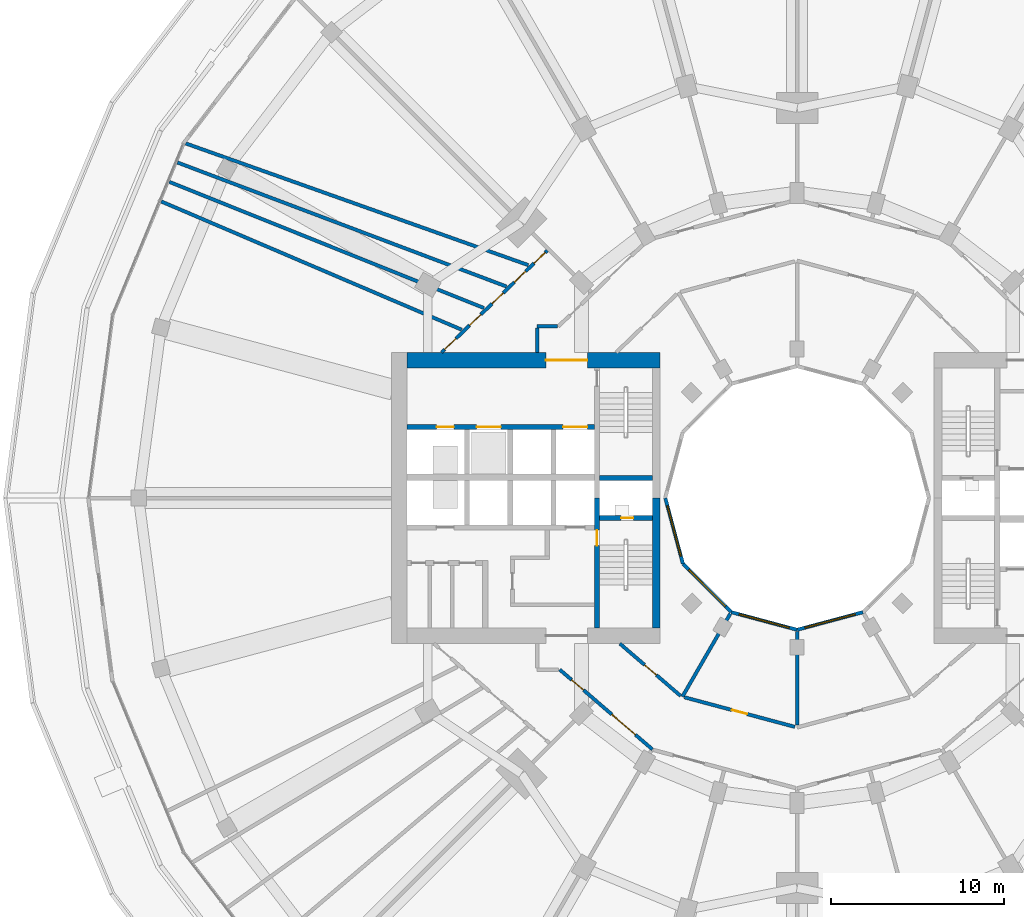
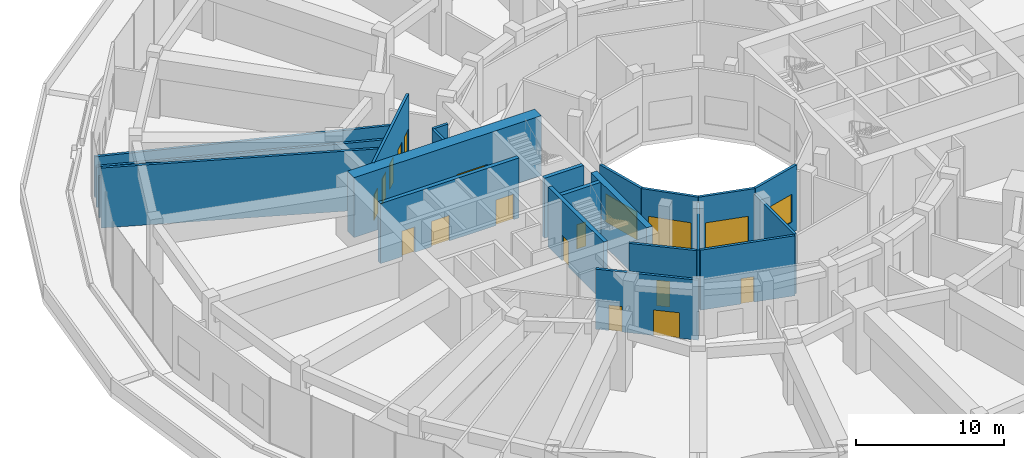
# One storey, part 23 of 30: 22 walls, 15 doors, 4 windows, 19 openings.
"""IFC4 building model written with IfcOpenShell, lengths in metres."""

from ifc_helpers import new_model, si_unit, direction, frame, frame_2d, origin, place, context, subcontext, project, spatial, rectangle, extrude, material, layer, layer_set, type_object, element, fill, save


model = new_model("IFC4")

# Units and contexts
model_context = context("Model", 3, precision=1e-05, world=origin(), true_north=direction((0.0, 1.0)))
body_context = subcontext(model_context, "Body", "Model", "MODEL_VIEW")
ifc_project = project(units=[si_unit("LENGTHUNIT", "METRE"), si_unit("AREAUNIT", "SQUARE_METRE"), si_unit("VOLUMEUNIT", "CUBIC_METRE"), si_unit("PLANEANGLEUNIT", "RADIAN"), si_unit("MASSUNIT", "GRAM", prefix="KILO")], contexts=[model_context])

# Site, building, storey
site_placement = place(None, origin())
site = spatial("IfcSite", under=ifc_project, at=site_placement, CompositionType="ELEMENT")
building_placement = place(site_placement, origin())
building = spatial("IfcBuilding", under=site, at=building_placement, Name="Torre Brocal", CompositionType="ELEMENT")
storey_placement = place(building_placement, frame((0.0, 0.0, 7.0)))
storey = spatial("IfcBuildingStorey", under=building, at=storey_placement, Name="L01", CompositionType="ELEMENT", Elevation=7.0)

# Wall, opening, door
ifc_material_1 = material(Name="Concrete C80", Category="concrete")
ifc_layer_1 = layer(ifc_material_1, 0.300048828125)
ifc_layer_set_1 = layer_set([ifc_layer_1], Name="Concrete C80")
wall_type_1 = type_object("IfcWallType", Name="CORE WALL 300 C80 UNDER 450 SLAB", PredefinedType="SHEAR", material=ifc_layer_set_1)
wall_1_placement = place(storey_placement, frame((68.449951171875, 75.0, 0.0), z_axis=(0.0, 0.0, 1.0), x_axis=(0.0, -1.0, 0.0)))
wall_1 = element("IfcWall", 1, at=wall_1_placement, inside=storey, type_object=wall_type_1, Name="Wall CW300-80-S450", PredefinedType="SHEAR", context=body_context, shape_type="SweptSolid", body=[
    extrude(rectangle(XDim=7.5, YDim=0.300048828125, at=frame_2d((3.75, 0.0))), origin(), (0.0, 0.0, 1.0), 4.949951171875),
])
opening_1_placement = place(wall_1_placement, frame((1.85009765625, 0.0, 0.0)))
opening_1 = element("IfcOpeningElement", 2, at=opening_1_placement, cuts=wall_1, Name="Opening W-D02", PredefinedType="OPENING", context=body_context, shape_type="SweptSolid", body=[
    extrude(rectangle(XDim=0.89990234375, YDim=2.10009765625, at=frame_2d((0.449951171875, 1.050048828125))), frame((0.0, 0.159912109375, 0.0), z_axis=(0.0, -1.0, 0.0), x_axis=(1.0, 0.0, 0.0)), (0.0, 0.0, 1.0), 0.320068359375),
])
ifc_material_2 = material(Name="Steel A653", Category="steel")
door_type_1 = type_object("IfcDoorType", Name="STAIR DOOR FD120 900X2100", OperationType="SINGLE_SWING_RIGHT", PredefinedType="DOOR", material=ifc_material_2)
door_1_placement = place(opening_1_placement, origin())
door_1 = element("IfcDoor", 3, at=door_1_placement, inside=storey, type_object=door_type_1, Name="Door W-D02", OperationType="SINGLE_SWING_LEFT", OverallHeight=2.10009765625, OverallWidth=0.89990234375, PredefinedType="DOOR", context=body_context, shape_type="SweptSolid", body=[
    extrude(rectangle(XDim=0.89990234375, YDim=2.10009765625, at=frame_2d((0.449951171875, 1.050048828125))), frame((0.0, 0.02490234375, 0.0), z_axis=(0.0, -1.0, 0.0), x_axis=(1.0, 0.0, 0.0)), (0.0, 0.0, 1.0), 0.050048828125),
])
fill(opening_1, door_1)

wall_2_placement = place(storey_placement, frame((71.64990234375, 73.85009765625, 0.0), z_axis=(0.0, 0.0, 1.0), x_axis=(-1.0, 0.0, 0.0)))
wall_2 = element("IfcWall", 4, at=wall_2_placement, inside=storey, type_object=wall_type_1, Name="Wall CW300-80-S450", PredefinedType="SHEAR", context=body_context, shape_type="SweptSolid", body=[
    extrude(rectangle(XDim=3.0498046875, YDim=0.300048828125, at=frame_2d((1.52490234375, 0.0))), origin(), (0.0, 0.0, 1.0), 4.949951171875),
])
opening_2_placement = place(wall_2_placement, frame((1.10009765625, 0.0, 0.0)))
opening_2 = element("IfcOpeningElement", 5, at=opening_2_placement, cuts=wall_2, Name="Opening W-D01", PredefinedType="OPENING", context=body_context, shape_type="SweptSolid", body=[
    extrude(rectangle(XDim=0.699951171875, YDim=2.0, at=frame_2d((0.35009765625, 1.0))), frame((0.0, 0.159912109375, 0.0), z_axis=(0.0, -1.0, 0.0), x_axis=(1.0, 0.0, 0.0)), (0.0, 0.0, 1.0), 0.320068359375),
])
ifc_material_3 = material(Name="Steel A653", Category="steel")
door_type_2 = type_object("IfcDoorType", Name="RISER DOOR FD120 700X2000", OperationType="SINGLE_SWING_LEFT", PredefinedType="DOOR", material=ifc_material_3)
door_2_placement = place(opening_2_placement, frame((0.699951171875, 0.0, 0.0), z_axis=(0.0, 0.0, 1.0), x_axis=(-1.0, 0.0, 0.0)))
door_2 = element("IfcDoor", 6, at=door_2_placement, inside=storey, type_object=door_type_2, Name="Door W-D01", OperationType="SINGLE_SWING_RIGHT", OverallHeight=2.0, OverallWidth=0.699951171875, PredefinedType="DOOR", context=body_context, shape_type="SweptSolid", body=[
    extrude(rectangle(XDim=0.699951171875, YDim=2.0, at=frame_2d((0.35009765625, 1.0))), frame((0.0, 0.02490234375, 0.0), z_axis=(0.0, -1.0, 0.0), x_axis=(1.0, 0.0, 0.0)), (0.0, 0.0, 1.0), 0.050048828125),
])
fill(opening_2, door_2)

# Wall
wall_3_placement = place(storey_placement, frame((71.64990234375, 76.14990234375, 0.0), z_axis=(0.0, 0.0, 1.0), x_axis=(-1.0, 0.0, 0.0)))
element("IfcWall", 7, at=wall_3_placement, inside=storey, type_object=wall_type_1, Name="Wall CW300-80-S450", PredefinedType="SHEAR", context=body_context, shape_type="SweptSolid", body=[
    extrude(rectangle(XDim=3.0498046875, YDim=0.300048828125, at=frame_2d((1.52490234375, 0.0))), origin(), (0.0, 0.0, 1.0), 4.949951171875),
])

# Wall, openings, doors
wall_4_placement = place(storey_placement, frame((68.300048828125, 79.10009765625, 0.0), z_axis=(0.0, 0.0, 1.0), x_axis=(-1.0, 0.0, 0.0)))
wall_4 = element("IfcWall", 8, at=wall_4_placement, inside=storey, type_object=wall_type_1, Name="Wall CW300-80-S450", PredefinedType="SHEAR", context=body_context, shape_type="SweptSolid", body=[
    extrude(rectangle(XDim=10.800048828125, YDim=0.300048828125, at=frame_2d((5.39990234375, 0.0))), origin(), (0.0, 0.0, 1.0), 4.949951171875),
])
opening_3_placement = place(wall_4_placement, frame((0.39990234375, 0.0, 0.0)))
opening_3 = element("IfcOpeningElement", 9, at=opening_3_placement, cuts=wall_4, Name="Opening LD14", PredefinedType="OPENING", context=body_context, shape_type="SweptSolid", body=[
    extrude(rectangle(XDim=1.39990234375, YDim=2.10009765625, at=frame_2d((0.699951171875, 1.050048828125))), frame((0.0, 0.159912109375, 0.0), z_axis=(0.0, -1.0, 0.0), x_axis=(1.0, 0.0, 0.0)), (0.0, 0.0, 1.0), 0.320068359375),
])
opening_4_placement = place(wall_4_placement, frame((5.39990234375, 0.0, 0.0)))
opening_4 = element("IfcOpeningElement", 10, at=opening_4_placement, cuts=wall_4, Name="Opening LD14", PredefinedType="OPENING", context=body_context, shape_type="SweptSolid", body=[
    extrude(rectangle(XDim=1.39990234375, YDim=2.10009765625, at=frame_2d((0.699951171875, 1.050048828125))), frame((0.0, 0.159912109375, 0.0), z_axis=(0.0, -1.0, 0.0), x_axis=(1.0, 0.0, 0.0)), (0.0, 0.0, 1.0), 0.320068359375),
])
opening_5_placement = place(wall_4_placement, frame((8.10009765625, 0.0, 0.0)))
opening_5 = element("IfcOpeningElement", 11, at=opening_5_placement, cuts=wall_4, Name="Opening LD10", PredefinedType="OPENING", context=body_context, shape_type="SweptSolid", body=[
    extrude(rectangle(XDim=1.0, YDim=2.10009765625, at=frame_2d((0.5, 1.050048828125))), frame((0.0, 0.159912109375, 0.0), z_axis=(0.0, -1.0, 0.0), x_axis=(1.0, 0.0, 0.0)), (0.0, 0.0, 1.0), 0.320068359375),
])
ifc_material_4 = material(Name="Stainless steel AISI 316", Category="steel")
door_type_3 = type_object("IfcDoorType", Name="LIFT LANDING DOOR 1000X2100", OperationType="DOUBLE_DOOR_SLIDING", PredefinedType="DOOR", material=ifc_material_4)
door_3_placement = place(opening_5_placement, origin())
door_3 = element("IfcDoor", 12, at=door_3_placement, inside=storey, type_object=door_type_3, Name="Door LD10", OperationType="DOUBLE_DOOR_SLIDING", OverallHeight=2.10009765625, OverallWidth=1.0, PredefinedType="DOOR", context=body_context, shape_type="SweptSolid", body=[
    extrude(rectangle(XDim=1.0, YDim=2.10009765625, at=frame_2d((0.5, 1.050048828125))), frame((0.0, 0.02490234375, 0.0), z_axis=(0.0, -1.0, 0.0), x_axis=(1.0, 0.0, 0.0)), (0.0, 0.0, 1.0), 0.050048828125),
])
fill(opening_5, door_3)
ifc_material_5 = material(Name="Stainless steel AISI 316", Category="steel")
door_type_4 = type_object("IfcDoorType", Name="LIFT LANDING DOOR 1400X2100", OperationType="DOUBLE_DOOR_SLIDING", PredefinedType="DOOR", material=ifc_material_5)
door_4_placement = place(opening_3_placement, origin())
door_4 = element("IfcDoor", 13, at=door_4_placement, inside=storey, type_object=door_type_4, Name="Door LD14", OperationType="DOUBLE_DOOR_SLIDING", OverallHeight=2.10009765625, OverallWidth=1.39990234375, PredefinedType="DOOR", context=body_context, shape_type="SweptSolid", body=[
    extrude(rectangle(XDim=1.39990234375, YDim=2.10009765625, at=frame_2d((0.699951171875, 1.050048828125))), frame((0.0, 0.02490234375, 0.0), z_axis=(0.0, -1.0, 0.0), x_axis=(1.0, 0.0, 0.0)), (0.0, 0.0, 1.0), 0.050048828125),
])
fill(opening_3, door_4)
door_5_placement = place(opening_4_placement, origin())
door_5 = element("IfcDoor", 14, at=door_5_placement, inside=storey, type_object=door_type_4, Name="Door LD14", OperationType="DOUBLE_DOOR_SLIDING", OverallHeight=2.10009765625, OverallWidth=1.39990234375, PredefinedType="DOOR", context=body_context, shape_type="SweptSolid", body=[
    extrude(rectangle(XDim=1.39990234375, YDim=2.10009765625, at=frame_2d((0.699951171875, 1.050048828125))), frame((0.0, 0.02490234375, 0.0), z_axis=(0.0, -1.0, 0.0), x_axis=(1.0, 0.0, 0.0)), (0.0, 0.0, 1.0), 0.050048828125),
])
fill(opening_4, door_5)

# Wall
ifc_material_6 = material(Name="Concrete C80", Category="concrete")
ifc_layer_2 = layer(ifc_material_6, 0.449951171875)
ifc_layer_set_2 = layer_set([ifc_layer_2], Name="Concrete C80")
wall_type_2 = type_object("IfcWallType", Name="CORE WALL 450 C80 UNDER 450 SLAB", PredefinedType="SHEAR", material=ifc_layer_set_2)
wall_5_placement = place(storey_placement, frame((71.875, 75.0, 0.0), z_axis=(0.0, 0.0, 1.0), x_axis=(0.0, -1.0, 0.0)))
element("IfcWall", 15, at=wall_5_placement, inside=storey, type_object=wall_type_2, Name="Wall CW450-80-S450", PredefinedType="SHEAR", context=body_context, shape_type="SweptSolid", body=[
    extrude(rectangle(XDim=7.5, YDim=0.449951171875, at=frame_2d((3.75, 0.0))), origin(), (0.0, 0.0, 1.0), 4.949951171875),
])

# Wall, opening, door
ifc_material_7 = material(Name="Concrete C80", Category="concrete")
ifc_layer_3 = layer(ifc_material_7, 0.89990234375)
ifc_layer_set_3 = layer_set([ifc_layer_3], Name="Concrete C80")
wall_type_3 = type_object("IfcWallType", Name="CORE WALL 900 C80 UNDER 450 SLAB", PredefinedType="SHEAR", material=ifc_layer_set_3)
wall_6_placement = place(storey_placement, frame((72.10009765625, 82.949951171875, 0.0), z_axis=(0.0, 0.0, 1.0), x_axis=(-1.0, 0.0, 0.0)))
wall_6 = element("IfcWall", 16, at=wall_6_placement, inside=storey, type_object=wall_type_3, Name="Wall CW900-80-S450", PredefinedType="SHEAR", context=body_context, shape_type="SweptSolid", body=[
    extrude(rectangle(XDim=14.60009765625, YDim=0.89990234375, at=frame_2d((7.300048828125, 0.0))), origin(), (0.0, 0.0, 1.0), 4.949951171875),
])
opening_6_placement = place(wall_6_placement, frame((4.199951171875, 0.0, 0.0)))
opening_6 = element("IfcOpeningElement", 17, at=opening_6_placement, cuts=wall_6, Name="Opening W-D30", PredefinedType="OPENING", context=body_context, shape_type="SweptSolid", body=[
    extrude(rectangle(XDim=2.39990234375, YDim=2.39990234375, at=frame_2d((1.199951171875, 1.199951171875))), frame((0.0, 0.4599609375, 0.0), z_axis=(0.0, -1.0, 0.0), x_axis=(1.0, 0.0, 0.0)), (0.0, 0.0, 1.0), 0.919921875),
])
ifc_material_8 = material(Name="Steel A653", Category="steel")
door_type_5 = type_object("IfcDoorType", Name="DOUBLE FIRE DOOR FD90 2400X2400", OperationType="DOUBLE_DOOR_SINGLE_SWING", PredefinedType="DOOR", material=ifc_material_8)
door_6_placement = place(opening_6_placement, origin())
door_6 = element("IfcDoor", 18, at=door_6_placement, inside=storey, type_object=door_type_5, Name="Door W-D30", OperationType="DOUBLE_DOOR_SINGLE_SWING", OverallHeight=2.39990234375, OverallWidth=2.39990234375, PredefinedType="DOOR", context=body_context, shape_type="SweptSolid", body=[
    extrude(rectangle(XDim=2.39990234375, YDim=2.39990234375, at=frame_2d((1.199951171875, 1.199951171875))), frame((0.0, 0.02490234375, 0.0), z_axis=(0.0, -1.0, 0.0), x_axis=(1.0, 0.0, 0.0)), (0.0, 0.0, 1.0), 0.050048828125),
])
fill(opening_6, door_6)

# Wall
ifc_material_9 = material(Name="Gypsum board", Category="Gypsum")
ifc_layer_4 = layer(ifc_material_9, 0.199951171875)
ifc_layer_set_4 = layer_set([ifc_layer_4], Name="Gypsum board")
wall_type_4 = type_object("IfcWallType", Name="PARTITION 200 EI60", PredefinedType="PARTITIONING", material=ifc_layer_set_4)
wall_7_placement = place(storey_placement, frame((43.30810546875, 92.113525390625, 0.0), z_axis=(0.0, 0.0, 1.0), x_axis=(0.919685506152, -0.39265579045, 0.0)))
element("IfcWall", 19, at=wall_7_placement, inside=storey, type_object=wall_type_4, Name="PARTY PARTITION", PredefinedType="PARTITIONING", context=body_context, shape_type="SweptSolid", body=[
    extrude(rectangle(XDim=18.84814453125, YDim=0.199951171875, at=frame_2d((9.424072265625, 0.0))), origin(), (0.0, 0.0, 1.0), 4.949951171875),
])

# Wall, openings, doors
wall_8_placement = place(storey_placement, frame((59.479736328125, 83.400146484375, 0.0), z_axis=(0.0, 0.0, 1.0), x_axis=(0.71978771682, 0.694194239903, 0.0)))
wall_8 = element("IfcWall", 20, at=wall_8_placement, inside=storey, type_object=wall_type_4, Name="PLANT ROOM WALL", PredefinedType="PARTITIONING", context=body_context, shape_type="SweptSolid", body=[
    extrude(rectangle(XDim=8.470703125, YDim=0.199951171875, at=frame_2d((4.2353515625, 0.0))), origin(), (0.0, 0.0, 1.0), 4.949951171875),
])
opening_7_placement = place(wall_8_placement, frame((7.4130859375, 0.0, 0.0)))
opening_7 = element("IfcOpeningElement", 21, at=opening_7_placement, cuts=wall_8, Name="Opening PD1-D08", PredefinedType="OPENING", context=body_context, shape_type="SweptSolid", body=[
    extrude(rectangle(XDim=0.89990234375, YDim=2.10009765625, at=frame_2d((0.449951171875, 1.050048828125))), frame((0.0, 0.10986328125, 0.0), z_axis=(0.0, -1.0, 0.0), x_axis=(1.0, 0.0, 0.0)), (0.0, 0.0, 1.0), 0.219970703125),
])
opening_8_placement = place(wall_8_placement, frame((5.84033203125, 0.0, 0.0)))
opening_8 = element("IfcOpeningElement", 22, at=opening_8_placement, cuts=wall_8, Name="Opening PD1-D09", PredefinedType="OPENING", context=body_context, shape_type="SweptSolid", body=[
    extrude(rectangle(XDim=0.89990234375, YDim=2.10009765625, at=frame_2d((0.449951171875, 1.050048828125))), frame((0.0, 0.10986328125, 0.0), z_axis=(0.0, -1.0, 0.0), x_axis=(1.0, 0.0, 0.0)), (0.0, 0.0, 1.0), 0.219970703125),
])
opening_9_placement = place(wall_8_placement, frame((4.054931640625, 0.0, 0.0)))
opening_9 = element("IfcOpeningElement", 23, at=opening_9_placement, cuts=wall_8, Name="Opening PD1-D10", PredefinedType="OPENING", context=body_context, shape_type="SweptSolid", body=[
    extrude(rectangle(XDim=0.89990234375, YDim=2.10009765625, at=frame_2d((0.449951171875, 1.050048828125))), frame((0.0, 0.10986328125, 0.0), z_axis=(0.0, -1.0, 0.0), x_axis=(1.0, 0.0, 0.0)), (0.0, 0.0, 1.0), 0.219970703125),
])
opening_10_placement = place(wall_8_placement, frame((2.255859375, 0.0, 0.0)))
opening_10 = element("IfcOpeningElement", 24, at=opening_10_placement, cuts=wall_8, Name="Opening PD1-D11", PredefinedType="OPENING", context=body_context, shape_type="SweptSolid", body=[
    extrude(rectangle(XDim=0.89990234375, YDim=2.10009765625, at=frame_2d((0.449951171875, 1.050048828125))), frame((0.0, 0.10986328125, 0.0), z_axis=(0.0, -1.0, 0.0), x_axis=(1.0, 0.0, 0.0)), (0.0, 0.0, 1.0), 0.219970703125),
])
opening_11_placement = place(wall_8_placement, frame((0.250732421875, 0.0, 0.0)))
opening_11 = element("IfcOpeningElement", 25, at=opening_11_placement, cuts=wall_8, Name="Opening PD1-D12", PredefinedType="OPENING", context=body_context, shape_type="SweptSolid", body=[
    extrude(rectangle(XDim=0.89990234375, YDim=2.10009765625, at=frame_2d((0.449951171875, 1.050048828125))), frame((0.0, 0.10986328125, 0.0), z_axis=(0.0, -1.0, 0.0), x_axis=(1.0, 0.0, 0.0)), (0.0, 0.0, 1.0), 0.219970703125),
])
ifc_material_10 = material(Name="Timber", Category="wood")
door_type_6 = type_object("IfcDoorType", Name="ROOM DOOR 900X2100", OperationType="SINGLE_SWING_LEFT", PredefinedType="DOOR", material=ifc_material_10)
door_7_placement = place(opening_7_placement, origin())
door_7 = element("IfcDoor", 26, at=door_7_placement, inside=storey, type_object=door_type_6, Name="PD1-D08", OperationType="SINGLE_SWING_RIGHT", OverallHeight=2.10009765625, OverallWidth=0.89990234375, PredefinedType="DOOR", context=body_context, shape_type="SweptSolid", body=[
    extrude(rectangle(XDim=0.89990234375, YDim=2.10009765625, at=frame_2d((0.449951171875, 1.050048828125))), frame((0.0, 0.02490234375, 0.0), z_axis=(0.0, -1.0, 0.0), x_axis=(1.0, 0.0, 0.0)), (0.0, 0.0, 1.0), 0.050048828125),
])
fill(opening_7, door_7)
door_8_placement = place(opening_8_placement, origin())
door_8 = element("IfcDoor", 27, at=door_8_placement, inside=storey, type_object=door_type_6, Name="PD1-D09", OperationType="SINGLE_SWING_LEFT", OverallHeight=2.10009765625, OverallWidth=0.89990234375, PredefinedType="DOOR", context=body_context, shape_type="SweptSolid", body=[
    extrude(rectangle(XDim=0.89990234375, YDim=2.10009765625, at=frame_2d((0.449951171875, 1.050048828125))), frame((0.0, 0.02490234375, 0.0), z_axis=(0.0, -1.0, 0.0), x_axis=(1.0, 0.0, 0.0)), (0.0, 0.0, 1.0), 0.050048828125),
])
fill(opening_8, door_8)
door_9_placement = place(opening_9_placement, origin())
door_9 = element("IfcDoor", 28, at=door_9_placement, inside=storey, type_object=door_type_6, Name="PD1-D10", OperationType="SINGLE_SWING_LEFT", OverallHeight=2.10009765625, OverallWidth=0.89990234375, PredefinedType="DOOR", context=body_context, shape_type="SweptSolid", body=[
    extrude(rectangle(XDim=0.89990234375, YDim=2.10009765625, at=frame_2d((0.449951171875, 1.050048828125))), frame((0.0, 0.02490234375, 0.0), z_axis=(0.0, -1.0, 0.0), x_axis=(1.0, 0.0, 0.0)), (0.0, 0.0, 1.0), 0.050048828125),
])
fill(opening_9, door_9)
door_10_placement = place(opening_10_placement, origin())
door_10 = element("IfcDoor", 29, at=door_10_placement, inside=storey, type_object=door_type_6, Name="PD1-D11", OperationType="SINGLE_SWING_LEFT", OverallHeight=2.10009765625, OverallWidth=0.89990234375, PredefinedType="DOOR", context=body_context, shape_type="SweptSolid", body=[
    extrude(rectangle(XDim=0.89990234375, YDim=2.10009765625, at=frame_2d((0.449951171875, 1.050048828125))), frame((0.0, 0.02490234375, 0.0), z_axis=(0.0, -1.0, 0.0), x_axis=(1.0, 0.0, 0.0)), (0.0, 0.0, 1.0), 0.050048828125),
])
fill(opening_10, door_10)
door_11_placement = place(opening_11_placement, origin())
door_11 = element("IfcDoor", 30, at=door_11_placement, inside=storey, type_object=door_type_6, Name="PD1-D12", OperationType="SINGLE_SWING_RIGHT", OverallHeight=2.10009765625, OverallWidth=0.89990234375, PredefinedType="DOOR", context=body_context, shape_type="SweptSolid", body=[
    extrude(rectangle(XDim=0.89990234375, YDim=2.10009765625, at=frame_2d((0.449951171875, 1.050048828125))), frame((0.0, 0.02490234375, 0.0), z_axis=(0.0, -1.0, 0.0), x_axis=(1.0, 0.0, 0.0)), (0.0, 0.0, 1.0), 0.050048828125),
])
fill(opening_11, door_11)

# Walls
wall_9_placement = place(storey_placement, frame((65.0, 83.40087890625, 0.0), z_axis=(0.0, 0.0, 1.0), x_axis=(0.0, 1.0, 0.0)))
element("IfcWall", 31, at=wall_9_placement, inside=storey, type_object=wall_type_4, Name="CORRIDOR WALL", PredefinedType="PARTITIONING", context=body_context, shape_type="SweptSolid", body=[
    extrude(rectangle(XDim=1.399169921875, YDim=0.199951171875, at=frame_2d((0.69970703125, 0.0))), origin(), (0.0, 0.0, 1.0), 4.949951171875),
])
wall_10_placement = place(storey_placement, frame((65.0, 84.89990234375, 0.0), z_axis=(0.0, 0.0, 1.0), x_axis=(1.0, 0.0, 0.0)))
element("IfcWall", 32, at=wall_10_placement, inside=storey, type_object=wall_type_4, Name="CORRIDOR WALL", PredefinedType="PARTITIONING", context=body_context, shape_type="SweptSolid", body=[
    extrude(rectangle(XDim=1.159912109375, YDim=0.199951171875, at=frame_2d((0.580078125, 0.0))), origin(), (0.0, 0.0, 1.0), 4.949951171875),
])

# Wall, openings, doors
wall_11_placement = place(storey_placement, frame((66.30224609375, 65.10009765625, 0.0), z_axis=(0.0, 0.0, 1.0), x_axis=(0.757895579626, -0.652375881209, 0.0)))
wall_11 = element("IfcWall", 33, at=wall_11_placement, inside=storey, type_object=wall_type_4, Name="CORRIDOR WALL", PredefinedType="PARTITIONING", context=body_context, shape_type="SweptSolid", body=[
    extrude(rectangle(XDim=7.0615234375, YDim=0.199951171875, at=frame_2d((3.53076171875, 0.0))), origin(), (0.0, 0.0, 1.0), 4.949951171875),
])
opening_12_placement = place(wall_11_placement, frame((3.96435546875, 0.0, 0.0)))
opening_12 = element("IfcOpeningElement", 34, at=opening_12_placement, cuts=wall_11, Name="Opening PD1-D24", PredefinedType="OPENING", context=body_context, shape_type="SweptSolid", body=[
    extrude(rectangle(XDim=1.800048828125, YDim=2.10009765625, at=frame_2d((0.89990234375, 1.050048828125))), frame((0.0, 0.10986328125, 0.0), z_axis=(0.0, -1.0, 0.0), x_axis=(1.0, 0.0, 0.0)), (0.0, 0.0, 1.0), 0.219970703125),
])
opening_13_placement = place(wall_11_placement, frame((0.906005859375, 0.0, 0.0)))
opening_13 = element("IfcOpeningElement", 35, at=opening_13_placement, cuts=wall_11, Name="Opening PD1-D30", PredefinedType="OPENING", context=body_context, shape_type="SweptSolid", body=[
    extrude(rectangle(XDim=0.89990234375, YDim=2.10009765625, at=frame_2d((0.449951171875, 1.050048828125))), frame((0.0, 0.10986328125, 0.0), z_axis=(0.0, -1.0, 0.0), x_axis=(1.0, 0.0, 0.0)), (0.0, 0.0, 1.0), 0.219970703125),
])
ifc_material_11 = material(Name="Timber", Category="wood")
door_type_7 = type_object("IfcDoorType", Name="DOUBLE DOOR 1800X2100", OperationType="DOUBLE_DOOR_SINGLE_SWING", PredefinedType="DOOR", material=ifc_material_11)
door_12_placement = place(opening_12_placement, frame((1.800048828125, 0.0, 0.0), z_axis=(0.0, 0.0, 1.0), x_axis=(-1.0, 0.0, 0.0)))
door_12 = element("IfcDoor", 36, at=door_12_placement, inside=storey, type_object=door_type_7, Name="PD1-D24", OperationType="DOUBLE_DOOR_SINGLE_SWING", OverallHeight=2.10009765625, OverallWidth=1.800048828125, PredefinedType="DOOR", context=body_context, shape_type="SweptSolid", body=[
    extrude(rectangle(XDim=1.800048828125, YDim=2.10009765625, at=frame_2d((0.89990234375, 1.050048828125))), frame((0.0, 0.02490234375, 0.0), z_axis=(0.0, -1.0, 0.0), x_axis=(1.0, 0.0, 0.0)), (0.0, 0.0, 1.0), 0.050048828125),
])
fill(opening_12, door_12)
door_13_placement = place(opening_13_placement, frame((0.89990234375, 0.0, 0.0), z_axis=(0.0, 0.0, 1.0), x_axis=(-1.0, 0.0, 0.0)))
door_13 = element("IfcDoor", 37, at=door_13_placement, inside=storey, type_object=door_type_6, Name="PD1-D30", OperationType="SINGLE_SWING_LEFT", OverallHeight=2.10009765625, OverallWidth=0.89990234375, PredefinedType="DOOR", context=body_context, shape_type="SweptSolid", body=[
    extrude(rectangle(XDim=0.89990234375, YDim=2.10009765625, at=frame_2d((0.449951171875, 1.050048828125))), frame((0.0, 0.02490234375, 0.0), z_axis=(0.0, -1.0, 0.0), x_axis=(1.0, 0.0, 0.0)), (0.0, 0.0, 1.0), 0.050048828125),
])
fill(opening_13, door_13)

# Wall, opening, door
wall_12_placement = place(storey_placement, frame((69.77099609375, 66.60009765625, 0.0), z_axis=(0.0, 0.0, 1.0), x_axis=(0.758040611529, -0.652207352974, 0.0)))
wall_12 = element("IfcWall", 38, at=wall_12_placement, inside=storey, type_object=wall_type_4, Name="CORRIDOR WALL", PredefinedType="PARTITIONING", context=body_context, shape_type="SweptSolid", body=[
    extrude(rectangle(XDim=4.625244140625, YDim=0.199951171875, at=frame_2d((2.3125, 0.0))), origin(), (0.0, 0.0, 1.0), 4.949951171875),
])
opening_14_placement = place(wall_12_placement, frame((1.887451171875, 0.0, 0.0)))
opening_14 = element("IfcOpeningElement", 39, at=opening_14_placement, cuts=wall_12, Name="Opening PD1-D34", PredefinedType="OPENING", context=body_context, shape_type="SweptSolid", body=[
    extrude(rectangle(XDim=0.89990234375, YDim=2.10009765625, at=frame_2d((0.449951171875, 1.050048828125))), frame((0.0, 0.10986328125, 0.0), z_axis=(0.0, -1.0, 0.0), x_axis=(1.0, 0.0, 0.0)), (0.0, 0.0, 1.0), 0.219970703125),
])
door_14_placement = place(opening_14_placement, origin())
door_14 = element("IfcDoor", 40, at=door_14_placement, inside=storey, type_object=door_type_6, Name="PD1-D34", OperationType="SINGLE_SWING_LEFT", OverallHeight=2.10009765625, OverallWidth=0.89990234375, PredefinedType="DOOR", context=body_context, shape_type="SweptSolid", body=[
    extrude(rectangle(XDim=0.89990234375, YDim=2.10009765625, at=frame_2d((0.449951171875, 1.050048828125))), frame((0.0, 0.02490234375, 0.0), z_axis=(0.0, -1.0, 0.0), x_axis=(1.0, 0.0, 0.0)), (0.0, 0.0, 1.0), 0.050048828125),
])
fill(opening_14, door_14)

wall_13_placement = place(storey_placement, frame((73.49853515625, 63.501953125, 0.0), z_axis=(0.0, 0.0, 1.0), x_axis=(0.965923617359, -0.258827288799, 0.0)))
wall_13 = element("IfcWall", 41, at=wall_13_placement, inside=storey, type_object=wall_type_4, Name="CORRIDOR WALL", PredefinedType="PARTITIONING", context=body_context, shape_type="SweptSolid", body=[
    extrude(rectangle(XDim=6.600830078125, YDim=0.199951171875, at=frame_2d((3.30029296875, 0.0))), origin(), (0.0, 0.0, 1.0), 4.949951171875),
])
opening_15_placement = place(wall_13_placement, frame((2.843994140625, 0.0, 0.0)))
opening_15 = element("IfcOpeningElement", 42, at=opening_15_placement, cuts=wall_13, Name="Opening PD1-D33", PredefinedType="OPENING", context=body_context, shape_type="SweptSolid", body=[
    extrude(rectangle(XDim=0.89990234375, YDim=2.10009765625, at=frame_2d((0.449951171875, 1.050048828125))), frame((0.0, 0.10986328125, 0.0), z_axis=(0.0, -1.0, 0.0), x_axis=(1.0, 0.0, 0.0)), (0.0, 0.0, 1.0), 0.219970703125),
])
door_15_placement = place(opening_15_placement, origin())
door_15 = element("IfcDoor", 43, at=door_15_placement, inside=storey, type_object=door_type_6, Name="PD1-D33", OperationType="SINGLE_SWING_LEFT", OverallHeight=2.10009765625, OverallWidth=0.89990234375, PredefinedType="DOOR", context=body_context, shape_type="SweptSolid", body=[
    extrude(rectangle(XDim=0.89990234375, YDim=2.10009765625, at=frame_2d((0.449951171875, 1.050048828125))), frame((0.0, 0.02490234375, 0.0), z_axis=(0.0, -1.0, 0.0), x_axis=(1.0, 0.0, 0.0)), (0.0, 0.0, 1.0), 0.050048828125),
])
fill(opening_15, door_15)

# Walls
wall_14_placement = place(storey_placement, frame((73.3798828125, 63.5341796875, 0.0), z_axis=(0.0, 0.0, 1.0), x_axis=(0.500052970826, 0.865994818904, 0.0)))
element("IfcWall", 44, at=wall_14_placement, inside=storey, type_object=wall_type_4, Name="SERVICE ROOM WALL", PredefinedType="PARTITIONING", context=body_context, shape_type="SweptSolid", body=[
    extrude(rectangle(XDim=5.54150390625, YDim=0.199951171875, at=frame_2d((2.770751953125, 0.0))), origin(), (0.0, 0.0, 1.0), 4.949951171875),
])
wall_15_placement = place(storey_placement, frame((80.0, 61.889892578125, 0.0), z_axis=(0.0, 0.0, 1.0), x_axis=(0.0, 1.0, 0.0)))
element("IfcWall", 45, at=wall_15_placement, inside=storey, type_object=wall_type_4, Name="SERVICE ROOM WALL", PredefinedType="PARTITIONING", context=body_context, shape_type="SweptSolid", body=[
    extrude(rectangle(XDim=5.4111328125, YDim=0.199951171875, at=frame_2d((2.70556640625, 0.0))), origin(), (0.0, 0.0, 1.0), 4.949951171875),
])
ifc_material_12 = material(Name="Gypsum board", Category="Gypsum")
ifc_layer_5 = layer(ifc_material_12, 0.199951171875)
ifc_layer_set_5 = layer_set([ifc_layer_5], Name="Gypsum board")
wall_type_5 = type_object("IfcWallType", Name="PARTITION 200 EI60 UNDER BEAM 2050", PredefinedType="PARTITIONING", material=ifc_layer_set_5)
wall_16_placement = place(storey_placement, frame((43.774658203125, 93.24267578125, 0.0), z_axis=(0.0, 0.0, 1.0), x_axis=(0.928161429734, -0.372177861181, 0.0)))
element("IfcWall", 46, at=wall_16_placement, inside=storey, type_object=wall_type_5, Name="PARTY PARTITION", PredefinedType="PARTITIONING", context=body_context, shape_type="SweptSolid", body=[
    extrude(rectangle(XDim=19.56787109375, YDim=0.199951171875, at=frame_2d((9.783935546875, 0.0))), origin(), (0.0, 0.0, 1.0), 3.35009765625),
])
wall_17_placement = place(storey_placement, frame((44.23828125, 94.362548828125, 0.0), z_axis=(0.0, 0.0, 1.0), x_axis=(0.935745518328, -0.352675948896, 0.0)))
element("IfcWall", 47, at=wall_17_placement, inside=storey, type_object=wall_type_5, Name="PARTY PARTITION", PredefinedType="PARTITIONING", context=body_context, shape_type="SweptSolid", body=[
    extrude(rectangle(XDim=20.294677734375, YDim=0.199951171875, at=frame_2d((10.1474609375, 0.0))), origin(), (0.0, 0.0, 1.0), 3.35009765625),
])
wall_18_placement = place(storey_placement, frame((44.718994140625, 95.462646484375, 0.0), z_axis=(0.0, 0.0, 1.0), x_axis=(0.94231036805, -0.33474045209, 0.0)))
element("IfcWall", 48, at=wall_18_placement, inside=storey, type_object=wall_type_5, Name="PLANT ROOM WALL", PredefinedType="PARTITIONING", context=body_context, shape_type="SweptSolid", body=[
    extrude(rectangle(XDim=20.98681640625, YDim=0.199951171875, at=frame_2d((10.493408203125, 0.0))), origin(), (0.0, 0.0, 1.0), 3.35009765625),
])

# Wall, opening, window
ifc_material_13 = material(Name="Concrete C40", Category="concrete")
ifc_layer_6 = layer(ifc_material_13, 0.199951171875)
ifc_layer_set_6 = layer_set([ifc_layer_6], Name="Concrete C40")
wall_type_6 = type_object("IfcWallType", Name="WELL FACADE WALL 200", PredefinedType="NOTDEFINED", material=ifc_layer_set_6)
wall_19_placement = place(storey_placement, frame((72.396484375, 75.0, 0.0), z_axis=(0.0, 0.0, 1.0), x_axis=(0.258789828301, -0.965933654434, 0.0)))
wall_19 = element("IfcWall", 49, at=wall_19_placement, inside=storey, type_object=wall_type_6, Name="WELL FACADE WALL", PredefinedType="NOTDEFINED", context=body_context, shape_type="SweptSolid", body=[
    extrude(rectangle(XDim=3.935791015625, YDim=0.199951171875, at=frame_2d((1.9677734375, 0.0))), origin(), (0.0, 0.0, 1.0), 5.39990234375),
])
opening_16_placement = place(wall_19_placement, frame((0.468017578125, 0.0, 0.89990234375)))
opening_16 = element("IfcOpeningElement", 50, at=opening_16_placement, cuts=wall_19, Name="Opening W1", PredefinedType="OPENING", context=body_context, shape_type="SweptSolid", body=[
    extrude(rectangle(XDim=3.0, YDim=2.300048828125, at=frame_2d((1.5, 1.14990234375))), frame((0.0, 0.10986328125, 0.0), z_axis=(0.0, -1.0, 0.0), x_axis=(1.0, 0.0, 0.0)), (0.0, 0.0, 1.0), 0.219970703125),
])
ifc_material_14 = material(Name="Aluminium and glass", Category="aluminium")
window_type = type_object("IfcWindowType", Name="WELL WINDOW 3000X2300", PartitioningType="SINGLE_PANEL", PredefinedType="WINDOW", material=ifc_material_14)
window_1_placement = place(opening_16_placement, origin())
window_1 = element("IfcWindow", 51, at=window_1_placement, inside=storey, type_object=window_type, Name="WELL WINDOW 3000X2300", OverallHeight=2.300048828125, OverallWidth=3.0, PartitioningType="SINGLE_PANEL", PredefinedType="WINDOW", context=body_context, shape_type="SweptSolid", body=[
    extrude(rectangle(XDim=3.0, YDim=2.300048828125, at=frame_2d((1.5, 1.14990234375))), frame((0.0, 0.030029296875, 0.0), z_axis=(0.0, -1.0, 0.0), x_axis=(1.0, 0.0, 0.0)), (0.0, 0.0, 1.0), 0.06005859375),
])
fill(opening_16, window_1)

wall_20_placement = place(storey_placement, frame((73.4150390625, 71.1982421875, 0.0), z_axis=(0.0, 0.0, 1.0), x_axis=(0.707106781187, -0.707106781187, 0.0)))
wall_20 = element("IfcWall", 52, at=wall_20_placement, inside=storey, type_object=wall_type_6, Name="WELL FACADE WALL", PredefinedType="NOTDEFINED", context=body_context, shape_type="SweptSolid", body=[
    extrude(rectangle(XDim=3.93603515625, YDim=0.199951171875, at=frame_2d((1.968017578125, 0.0))), origin(), (0.0, 0.0, 1.0), 5.39990234375),
])
opening_17_placement = place(wall_20_placement, frame((0.468017578125, 0.0, 0.89990234375)))
opening_17 = element("IfcOpeningElement", 53, at=opening_17_placement, cuts=wall_20, Name="Opening W1", PredefinedType="OPENING", context=body_context, shape_type="SweptSolid", body=[
    extrude(rectangle(XDim=3.0, YDim=2.300048828125, at=frame_2d((1.5, 1.14990234375))), frame((0.0, 0.10986328125, 0.0), z_axis=(0.0, -1.0, 0.0), x_axis=(1.0, 0.0, 0.0)), (0.0, 0.0, 1.0), 0.219970703125),
])
window_2_placement = place(opening_17_placement, origin())
window_2 = element("IfcWindow", 54, at=window_2_placement, inside=storey, type_object=window_type, Name="WELL WINDOW 3000X2300", OverallHeight=2.300048828125, OverallWidth=3.0, PartitioningType="SINGLE_PANEL", PredefinedType="WINDOW", context=body_context, shape_type="SweptSolid", body=[
    extrude(rectangle(XDim=3.0, YDim=2.300048828125, at=frame_2d((1.5, 1.14990234375))), frame((0.0, 0.030029296875, 0.0), z_axis=(0.0, -1.0, 0.0), x_axis=(1.0, 0.0, 0.0)), (0.0, 0.0, 1.0), 0.06005859375),
])
fill(opening_17, window_2)

wall_21_placement = place(storey_placement, frame((76.1982421875, 68.4150390625, 0.0), z_axis=(0.0, 0.0, 1.0), x_axis=(0.965933654434, -0.258789828301, 0.0)))
wall_21 = element("IfcWall", 55, at=wall_21_placement, inside=storey, type_object=wall_type_6, Name="WELL FACADE WALL", PredefinedType="NOTDEFINED", context=body_context, shape_type="SweptSolid", body=[
    extrude(rectangle(XDim=3.935791015625, YDim=0.199951171875, at=frame_2d((1.9677734375, 0.0))), origin(), (0.0, 0.0, 1.0), 5.39990234375),
])
opening_18_placement = place(wall_21_placement, frame((0.468017578125, 0.0, 0.89990234375)))
opening_18 = element("IfcOpeningElement", 56, at=opening_18_placement, cuts=wall_21, Name="Opening W1", PredefinedType="OPENING", context=body_context, shape_type="SweptSolid", body=[
    extrude(rectangle(XDim=3.0, YDim=2.300048828125, at=frame_2d((1.5, 1.14990234375))), frame((0.0, 0.10986328125, 0.0), z_axis=(0.0, -1.0, 0.0), x_axis=(1.0, 0.0, 0.0)), (0.0, 0.0, 1.0), 0.219970703125),
])
window_3_placement = place(opening_18_placement, origin())
window_3 = element("IfcWindow", 57, at=window_3_placement, inside=storey, type_object=window_type, Name="WELL WINDOW 3000X2300", OverallHeight=2.300048828125, OverallWidth=3.0, PartitioningType="SINGLE_PANEL", PredefinedType="WINDOW", context=body_context, shape_type="SweptSolid", body=[
    extrude(rectangle(XDim=3.0, YDim=2.300048828125, at=frame_2d((1.5, 1.14990234375))), frame((0.0, 0.030029296875, 0.0), z_axis=(0.0, -1.0, 0.0), x_axis=(1.0, 0.0, 0.0)), (0.0, 0.0, 1.0), 0.06005859375),
])
fill(opening_18, window_3)

wall_22_placement = place(storey_placement, frame((80.0, 67.396484375, 0.0), z_axis=(0.0, 0.0, 1.0), x_axis=(0.965933654434, 0.258789828301, 0.0)))
wall_22 = element("IfcWall", 58, at=wall_22_placement, inside=storey, type_object=wall_type_6, Name="WELL FACADE WALL", PredefinedType="NOTDEFINED", context=body_context, shape_type="SweptSolid", body=[
    extrude(rectangle(XDim=3.935791015625, YDim=0.199951171875, at=frame_2d((1.9677734375, 0.0))), origin(), (0.0, 0.0, 1.0), 5.39990234375),
])
opening_19_placement = place(wall_22_placement, frame((0.468017578125, 0.0, 0.89990234375)))
opening_19 = element("IfcOpeningElement", 59, at=opening_19_placement, cuts=wall_22, Name="Opening W1", PredefinedType="OPENING", context=body_context, shape_type="SweptSolid", body=[
    extrude(rectangle(XDim=3.0, YDim=2.300048828125, at=frame_2d((1.5, 1.14990234375))), frame((0.0, 0.10986328125, 0.0), z_axis=(0.0, -1.0, 0.0), x_axis=(1.0, 0.0, 0.0)), (0.0, 0.0, 1.0), 0.219970703125),
])
window_4_placement = place(opening_19_placement, origin())
window_4 = element("IfcWindow", 60, at=window_4_placement, inside=storey, type_object=window_type, Name="WELL WINDOW 3000X2300", OverallHeight=2.300048828125, OverallWidth=3.0, PartitioningType="SINGLE_PANEL", PredefinedType="WINDOW", context=body_context, shape_type="SweptSolid", body=[
    extrude(rectangle(XDim=3.0, YDim=2.300048828125, at=frame_2d((1.5, 1.14990234375))), frame((0.0, 0.030029296875, 0.0), z_axis=(0.0, -1.0, 0.0), x_axis=(1.0, 0.0, 0.0)), (0.0, 0.0, 1.0), 0.06005859375),
])
fill(opening_19, window_4)

save(model, "model.ifc")
